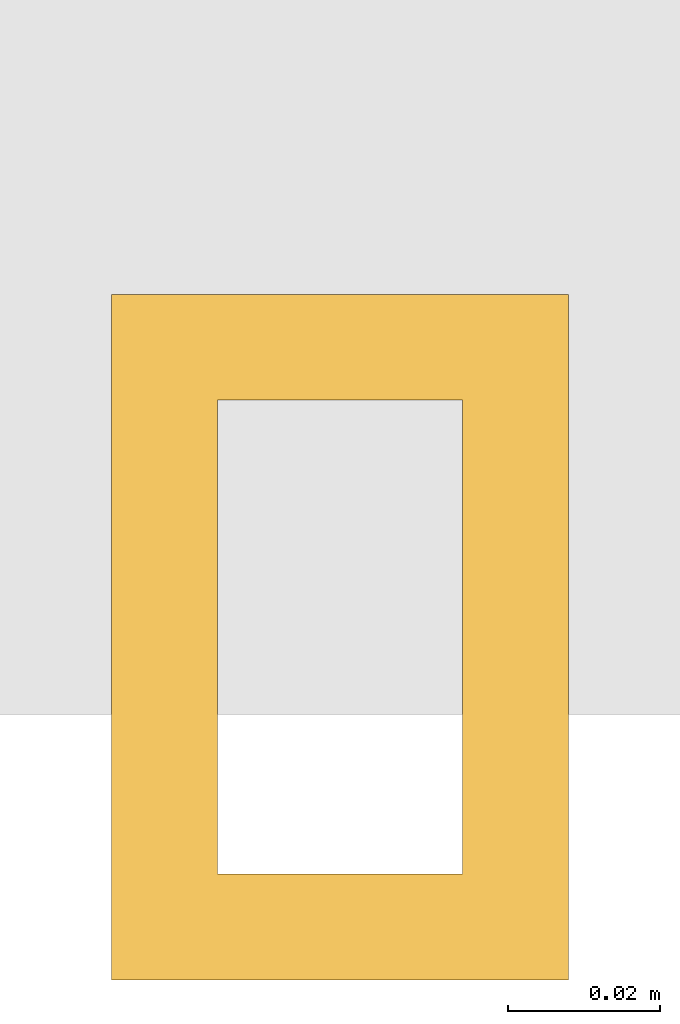
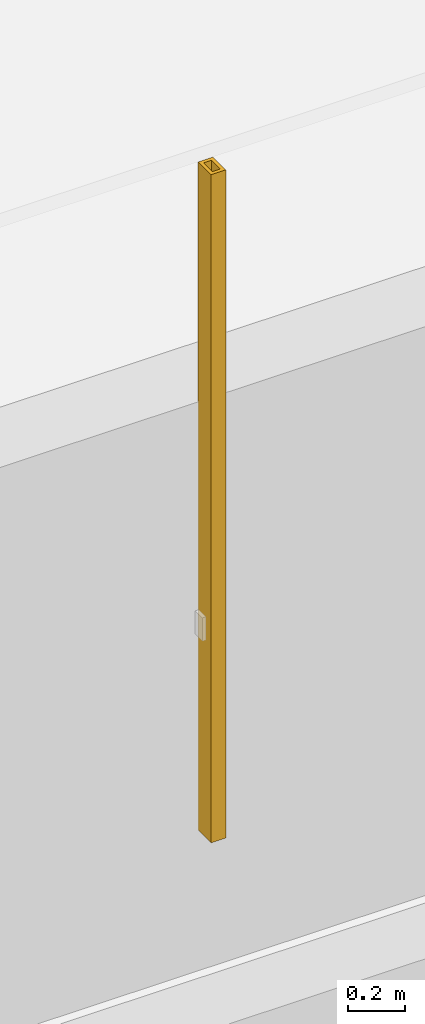
# One storey, part 39 of 45: 1 shading device.
"""IFC4 building model written with IfcOpenShell, lengths in metres."""

from ifc_helpers import new_model, si_unit, direction, frame, origin, origin_2d, place, context, subcontext, project, spatial, hollow_rectangle, extrude, material, material_profile, profile_set, type_object, element, save


model = new_model("IFC4")

# Units and contexts
model_context = context("Model", 3, precision=1e-05, world=origin(), true_north=direction((0.0, 1.0)))
body_context = subcontext(model_context, "Body", "Model", "MODEL_VIEW")
ifc_project = project(units=[si_unit("LENGTHUNIT", "METRE"), si_unit("AREAUNIT", "SQUARE_METRE"), si_unit("VOLUMEUNIT", "CUBIC_METRE"), si_unit("PLANEANGLEUNIT", "RADIAN"), si_unit("MASSUNIT", "GRAM", prefix="KILO")], contexts=[model_context])

# Site, building, storey
site_placement = place(None, origin())
site = spatial("IfcSite", under=ifc_project, at=site_placement, CompositionType="ELEMENT")
building_placement = place(site_placement, origin())
building = spatial("IfcBuilding", under=site, at=building_placement, Name="Punatoya Terracotta Tower", CompositionType="ELEMENT")
storey_placement = place(building_placement, frame((0.0, 0.0, 56.550048828125)))
storey = spatial("IfcBuildingStorey", under=building, at=storey_placement, Name="L12", CompositionType="ELEMENT", Elevation=56.550048828125)

# Shading device
ifc_material = material(Name="Architectural Fired Terracotta", Category="masonry")
ifc_material_profile = material_profile(ifc_material, hollow_rectangle(XDim=0.06005859375, YDim=0.090087890625, WallThickness=0.013916015625, at=origin_2d()))
ifc_profile_set = profile_set([ifc_material_profile], Name="Architectural Fired Terracotta")
shading_device_type = type_object("IfcShadingDeviceType", Name="SHD-JALI-90", PredefinedType="JALOUSIE", material=ifc_profile_set)
shading_device_placement = place(storey_placement, frame((14.468505859375, -23.449951171875, 0.599853515625), z_axis=(0.0, 0.0, 1.0), x_axis=(1.0, 0.0, 0.0)))
element("IfcShadingDevice", 1, at=shading_device_placement, inside=storey, type_object=shading_device_type, Name="L12 Braced Bay Terracotta Jali Fin S2", PredefinedType="JALOUSIE", context=body_context, shape_type="SweptSolid", body=[
    extrude(hollow_rectangle(XDim=0.06005859375, YDim=0.090087890625, WallThickness=0.013916015625, at=origin_2d()), origin(), (0.0, 0.0, 1.0), 2.8701171875),
])

save(model, "model.ifc")
